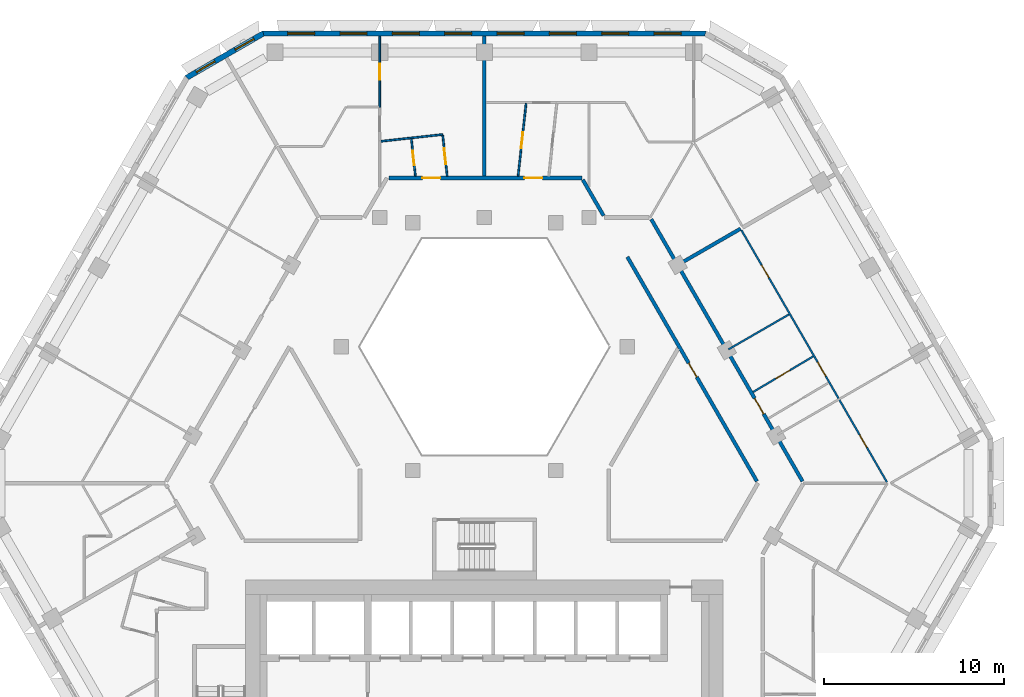
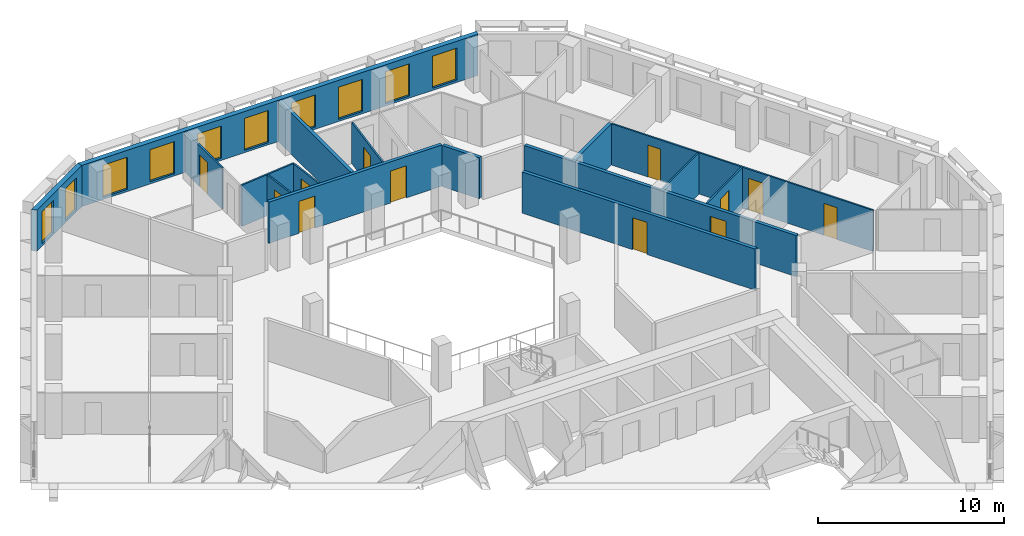
# One storey, part 8 of 17: 16 walls, 12 doors, 10 windows, 22 openings.
"""IFC4 building model written with IfcOpenShell, lengths in metres."""

from ifc_helpers import new_model, si_unit, direction, frame, frame_2d, origin, place, context, subcontext, project, spatial, polyline, rectangle, outline, extrude, material, layer, layer_set, type_object, element, fill, save


model = new_model("IFC4")

# Units and contexts
model_context = context("Model", 3, precision=1e-05, world=origin(), true_north=direction((0.0, 1.0)))
body_context = subcontext(model_context, "Body", "Model", "MODEL_VIEW")
ifc_project = project(units=[si_unit("LENGTHUNIT", "METRE"), si_unit("AREAUNIT", "SQUARE_METRE"), si_unit("VOLUMEUNIT", "CUBIC_METRE"), si_unit("PLANEANGLEUNIT", "RADIAN"), si_unit("MASSUNIT", "GRAM", prefix="KILO")], contexts=[model_context])

# Site, building, storey
site_placement = place(None, origin())
site = spatial("IfcSite", under=ifc_project, at=site_placement, CompositionType="ELEMENT")
building_placement = place(site_placement, origin())
building = spatial("IfcBuilding", under=site, at=building_placement, Name="Beryl Residences", CompositionType="ELEMENT")
storey_placement = place(building_placement, frame((0.0, 0.0, 144.60009765625)))
storey = spatial("IfcBuildingStorey", under=building, at=storey_placement, Name="L44", CompositionType="ELEMENT", Elevation=144.60009765625)

# Wall, openings, windows
ifc_material_1 = material(Name="Composite metal panel with mineral wool insulation")
ifc_layer_1 = layer(ifc_material_1, 0.300048828125)
ifc_layer_set_1 = layer_set([ifc_layer_1], Name="ES1 pale metal composite panel wall 300 mm")
wall_type_1 = type_object("IfcWallType", Name="ES1 pale metal composite panel wall 300 mm", PredefinedType="SOLIDWALL", material=ifc_layer_set_1)
wall_1_placement = place(storey_placement, frame((12.35498046875, 25.449951171875, 0.0), z_axis=(0.0, 0.0, 1.0), x_axis=(-1.0, 0.0, 0.0)))
wall_1 = element("IfcWall", 1, at=wall_1_placement, inside=storey, type_object=wall_type_1, Name="ES1 external wall L44 N", PredefinedType="SOLIDWALL", context=body_context, shape_type="SweptSolid", body=[
    extrude(outline(polyline([(0.0, -0.14990234375), (24.7099609375, -0.14990234375), (24.629638671875, 0.14990234375), (0.080322265625, 0.14990234375), (0.0, -0.14990234375)])), origin(), (0.0, 0.0, 1.0), 2.699951171875),
])
opening_1_placement = place(wall_1_placement, frame((1.40087890625, 0.0, 0.14990234375)))
opening_1 = element("IfcOpeningElement", 2, at=opening_1_placement, cuts=wall_1, Name="Opening W1", PredefinedType="OPENING", context=body_context, shape_type="SweptSolid", body=[
    extrude(rectangle(XDim=1.5, YDim=2.10009765625, at=frame_2d((0.75, 1.050048828125))), frame((0.0, 0.159912109375, 0.0), z_axis=(0.0, -1.0, 0.0), x_axis=(1.0, 0.0, 0.0)), (0.0, 0.0, 1.0), 0.320068359375),
])
opening_2_placement = place(wall_1_placement, frame((4.31591796875, 0.0, 0.14990234375)))
opening_2 = element("IfcOpeningElement", 3, at=opening_2_placement, cuts=wall_1, Name="Opening W1", PredefinedType="OPENING", context=body_context, shape_type="SweptSolid", body=[
    extrude(rectangle(XDim=1.5, YDim=2.10009765625, at=frame_2d((0.75, 1.050048828125))), frame((0.0, 0.159912109375, 0.0), z_axis=(0.0, -1.0, 0.0), x_axis=(1.0, 0.0, 0.0)), (0.0, 0.0, 1.0), 0.320068359375),
])
opening_3_placement = place(wall_1_placement, frame((7.23193359375, 0.0, 0.14990234375)))
opening_3 = element("IfcOpeningElement", 4, at=opening_3_placement, cuts=wall_1, Name="Opening W1", PredefinedType="OPENING", context=body_context, shape_type="SweptSolid", body=[
    extrude(rectangle(XDim=1.5, YDim=2.10009765625, at=frame_2d((0.75, 1.050048828125))), frame((0.0, 0.159912109375, 0.0), z_axis=(0.0, -1.0, 0.0), x_axis=(1.0, 0.0, 0.0)), (0.0, 0.0, 1.0), 0.320068359375),
])
opening_4_placement = place(wall_1_placement, frame((10.14697265625, 0.0, 0.14990234375)))
opening_4 = element("IfcOpeningElement", 5, at=opening_4_placement, cuts=wall_1, Name="Opening W1", PredefinedType="OPENING", context=body_context, shape_type="SweptSolid", body=[
    extrude(rectangle(XDim=1.5, YDim=2.10009765625, at=frame_2d((0.75, 1.050048828125))), frame((0.0, 0.159912109375, 0.0), z_axis=(0.0, -1.0, 0.0), x_axis=(1.0, 0.0, 0.0)), (0.0, 0.0, 1.0), 0.320068359375),
])
opening_5_placement = place(wall_1_placement, frame((13.06298828125, 0.0, 0.14990234375)))
opening_5 = element("IfcOpeningElement", 6, at=opening_5_placement, cuts=wall_1, Name="Opening W1", PredefinedType="OPENING", context=body_context, shape_type="SweptSolid", body=[
    extrude(rectangle(XDim=1.5, YDim=2.10009765625, at=frame_2d((0.75, 1.050048828125))), frame((0.0, 0.159912109375, 0.0), z_axis=(0.0, -1.0, 0.0), x_axis=(1.0, 0.0, 0.0)), (0.0, 0.0, 1.0), 0.320068359375),
])
opening_6_placement = place(wall_1_placement, frame((15.97802734375, 0.0, 0.14990234375)))
opening_6 = element("IfcOpeningElement", 7, at=opening_6_placement, cuts=wall_1, Name="Opening W1", PredefinedType="OPENING", context=body_context, shape_type="SweptSolid", body=[
    extrude(rectangle(XDim=1.5, YDim=2.10009765625, at=frame_2d((0.75, 1.050048828125))), frame((0.0, 0.159912109375, 0.0), z_axis=(0.0, -1.0, 0.0), x_axis=(1.0, 0.0, 0.0)), (0.0, 0.0, 1.0), 0.320068359375),
])
opening_7_placement = place(wall_1_placement, frame((18.89404296875, 0.0, 0.14990234375)))
opening_7 = element("IfcOpeningElement", 8, at=opening_7_placement, cuts=wall_1, Name="Opening W1", PredefinedType="OPENING", context=body_context, shape_type="SweptSolid", body=[
    extrude(rectangle(XDim=1.5, YDim=2.10009765625, at=frame_2d((0.75, 1.050048828125))), frame((0.0, 0.159912109375, 0.0), z_axis=(0.0, -1.0, 0.0), x_axis=(1.0, 0.0, 0.0)), (0.0, 0.0, 1.0), 0.320068359375),
])
opening_8_placement = place(wall_1_placement, frame((21.80908203125, 0.0, 0.14990234375)))
opening_8 = element("IfcOpeningElement", 9, at=opening_8_placement, cuts=wall_1, Name="Opening W1", PredefinedType="OPENING", context=body_context, shape_type="SweptSolid", body=[
    extrude(rectangle(XDim=1.5, YDim=2.10009765625, at=frame_2d((0.75, 1.050048828125))), frame((0.0, 0.159912109375, 0.0), z_axis=(0.0, -1.0, 0.0), x_axis=(1.0, 0.0, 0.0)), (0.0, 0.0, 1.0), 0.320068359375),
])
ifc_material_2 = material(Name="Aluminium and clear glass", Category="aluminium")
window_type_1 = type_object("IfcWindowType", Name="W1 cell window 1500 x 2100 mm", PartitioningType="SINGLE_PANEL", PredefinedType="WINDOW", material=ifc_material_2)
window_1_placement = place(opening_1_placement, origin())
window_1 = element("IfcWindow", 10, at=window_1_placement, inside=storey, type_object=window_type_1, Name="W1 window L44 N 1", OverallHeight=2.10009765625, OverallWidth=1.5, PartitioningType="SINGLE_PANEL", PredefinedType="WINDOW", context=body_context, shape_type="SweptSolid", body=[
    extrude(rectangle(XDim=1.5, YDim=2.10009765625, at=frame_2d((0.75, 1.050048828125))), frame((0.0, 0.030029296875, 0.0), z_axis=(0.0, -1.0, 0.0), x_axis=(1.0, 0.0, 0.0)), (0.0, 0.0, 1.0), 0.06005859375),
])
fill(opening_1, window_1)
window_2_placement = place(opening_2_placement, origin())
window_2 = element("IfcWindow", 11, at=window_2_placement, inside=storey, type_object=window_type_1, Name="W1 window L44 N 2", OverallHeight=2.10009765625, OverallWidth=1.5, PartitioningType="SINGLE_PANEL", PredefinedType="WINDOW", context=body_context, shape_type="SweptSolid", body=[
    extrude(rectangle(XDim=1.5, YDim=2.10009765625, at=frame_2d((0.75, 1.050048828125))), frame((0.0, 0.030029296875, 0.0), z_axis=(0.0, -1.0, 0.0), x_axis=(1.0, 0.0, 0.0)), (0.0, 0.0, 1.0), 0.06005859375),
])
fill(opening_2, window_2)
window_3_placement = place(opening_3_placement, origin())
window_3 = element("IfcWindow", 12, at=window_3_placement, inside=storey, type_object=window_type_1, Name="W1 window L44 N 3", OverallHeight=2.10009765625, OverallWidth=1.5, PartitioningType="SINGLE_PANEL", PredefinedType="WINDOW", context=body_context, shape_type="SweptSolid", body=[
    extrude(rectangle(XDim=1.5, YDim=2.10009765625, at=frame_2d((0.75, 1.050048828125))), frame((0.0, 0.030029296875, 0.0), z_axis=(0.0, -1.0, 0.0), x_axis=(1.0, 0.0, 0.0)), (0.0, 0.0, 1.0), 0.06005859375),
])
fill(opening_3, window_3)
window_4_placement = place(opening_4_placement, origin())
window_4 = element("IfcWindow", 13, at=window_4_placement, inside=storey, type_object=window_type_1, Name="W1 window L44 N 4", OverallHeight=2.10009765625, OverallWidth=1.5, PartitioningType="SINGLE_PANEL", PredefinedType="WINDOW", context=body_context, shape_type="SweptSolid", body=[
    extrude(rectangle(XDim=1.5, YDim=2.10009765625, at=frame_2d((0.75, 1.050048828125))), frame((0.0, 0.030029296875, 0.0), z_axis=(0.0, -1.0, 0.0), x_axis=(1.0, 0.0, 0.0)), (0.0, 0.0, 1.0), 0.06005859375),
])
fill(opening_4, window_4)
window_5_placement = place(opening_5_placement, origin())
window_5 = element("IfcWindow", 14, at=window_5_placement, inside=storey, type_object=window_type_1, Name="W1 window L44 N 5", OverallHeight=2.10009765625, OverallWidth=1.5, PartitioningType="SINGLE_PANEL", PredefinedType="WINDOW", context=body_context, shape_type="SweptSolid", body=[
    extrude(rectangle(XDim=1.5, YDim=2.10009765625, at=frame_2d((0.75, 1.050048828125))), frame((0.0, 0.030029296875, 0.0), z_axis=(0.0, -1.0, 0.0), x_axis=(1.0, 0.0, 0.0)), (0.0, 0.0, 1.0), 0.06005859375),
])
fill(opening_5, window_5)
window_6_placement = place(opening_6_placement, origin())
window_6 = element("IfcWindow", 15, at=window_6_placement, inside=storey, type_object=window_type_1, Name="W1 window L44 N 6", OverallHeight=2.10009765625, OverallWidth=1.5, PartitioningType="SINGLE_PANEL", PredefinedType="WINDOW", context=body_context, shape_type="SweptSolid", body=[
    extrude(rectangle(XDim=1.5, YDim=2.10009765625, at=frame_2d((0.75, 1.050048828125))), frame((0.0, 0.030029296875, 0.0), z_axis=(0.0, -1.0, 0.0), x_axis=(1.0, 0.0, 0.0)), (0.0, 0.0, 1.0), 0.06005859375),
])
fill(opening_6, window_6)
window_7_placement = place(opening_7_placement, origin())
window_7 = element("IfcWindow", 16, at=window_7_placement, inside=storey, type_object=window_type_1, Name="W1 window L44 N 7", OverallHeight=2.10009765625, OverallWidth=1.5, PartitioningType="SINGLE_PANEL", PredefinedType="WINDOW", context=body_context, shape_type="SweptSolid", body=[
    extrude(rectangle(XDim=1.5, YDim=2.10009765625, at=frame_2d((0.75, 1.050048828125))), frame((0.0, 0.030029296875, 0.0), z_axis=(0.0, -1.0, 0.0), x_axis=(1.0, 0.0, 0.0)), (0.0, 0.0, 1.0), 0.06005859375),
])
fill(opening_7, window_7)
window_8_placement = place(opening_8_placement, origin())
window_8 = element("IfcWindow", 17, at=window_8_placement, inside=storey, type_object=window_type_1, Name="W1 window L44 N 8", OverallHeight=2.10009765625, OverallWidth=1.5, PartitioningType="SINGLE_PANEL", PredefinedType="WINDOW", context=body_context, shape_type="SweptSolid", body=[
    extrude(rectangle(XDim=1.5, YDim=2.10009765625, at=frame_2d((0.75, 1.050048828125))), frame((0.0, 0.030029296875, 0.0), z_axis=(0.0, -1.0, 0.0), x_axis=(1.0, 0.0, 0.0)), (0.0, 0.0, 1.0), 0.06005859375),
])
fill(opening_8, window_8)

wall_2_placement = place(storey_placement, frame((-12.280029296875, 25.469970703125, 0.0), z_axis=(0.0, 0.0, 1.0), x_axis=(-0.866022959057, -0.500004234368, 0.0)))
wall_2 = element("IfcWall", 18, at=wall_2_placement, inside=storey, type_object=wall_type_1, Name="ES1 external wall L44 N-NW", PredefinedType="SOLIDWALL", context=body_context, shape_type="SweptSolid", body=[
    extrude(outline(polyline([(0.0, -0.14990234375), (5.0, -0.14990234375), (4.919677734375, 0.14990234375), (0.080322265625, 0.14990234375), (0.0, -0.14990234375)])), origin(), (0.0, 0.0, 1.0), 2.699951171875),
])
opening_9_placement = place(wall_2_placement, frame((0.64990234375, 0.0, 0.14990234375)))
opening_9 = element("IfcOpeningElement", 19, at=opening_9_placement, cuts=wall_2, Name="Opening W2", PredefinedType="OPENING", context=body_context, shape_type="SweptSolid", body=[
    extrude(rectangle(XDim=1.199951171875, YDim=2.10009765625, at=frame_2d((0.60009765625, 1.050048828125))), frame((0.0, 0.159912109375, 0.0), z_axis=(0.0, -1.0, 0.0), x_axis=(1.0, 0.0, 0.0)), (0.0, 0.0, 1.0), 0.320068359375),
])
opening_10_placement = place(wall_2_placement, frame((3.14892578125, 0.0, 0.14990234375)))
opening_10 = element("IfcOpeningElement", 20, at=opening_10_placement, cuts=wall_2, Name="Opening W2", PredefinedType="OPENING", context=body_context, shape_type="SweptSolid", body=[
    extrude(rectangle(XDim=1.199951171875, YDim=2.10009765625, at=frame_2d((0.60009765625, 1.050048828125))), frame((0.0, 0.159912109375, 0.0), z_axis=(0.0, -1.0, 0.0), x_axis=(1.0, 0.0, 0.0)), (0.0, 0.0, 1.0), 0.320068359375),
])
ifc_material_3 = material(Name="Aluminium and clear glass", Category="aluminium")
window_type_2 = type_object("IfcWindowType", Name="W2 chamfer window 1200 x 2100 mm", PartitioningType="SINGLE_PANEL", PredefinedType="WINDOW", material=ifc_material_3)
window_9_placement = place(opening_9_placement, origin())
window_9 = element("IfcWindow", 21, at=window_9_placement, inside=storey, type_object=window_type_2, Name="W2 window L44 N-NW 1", OverallHeight=2.10009765625, OverallWidth=1.199951171875, PartitioningType="SINGLE_PANEL", PredefinedType="WINDOW", context=body_context, shape_type="SweptSolid", body=[
    extrude(rectangle(XDim=1.199951171875, YDim=2.10009765625, at=frame_2d((0.60009765625, 1.050048828125))), frame((0.0, 0.030029296875, 0.0), z_axis=(0.0, -1.0, 0.0), x_axis=(1.0, 0.0, 0.0)), (0.0, 0.0, 1.0), 0.06005859375),
])
fill(opening_9, window_9)
window_10_placement = place(opening_10_placement, origin())
window_10 = element("IfcWindow", 22, at=window_10_placement, inside=storey, type_object=window_type_2, Name="W2 window L44 N-NW 2", OverallHeight=2.10009765625, OverallWidth=1.199951171875, PartitioningType="SINGLE_PANEL", PredefinedType="WINDOW", context=body_context, shape_type="SweptSolid", body=[
    extrude(rectangle(XDim=1.199951171875, YDim=2.10009765625, at=frame_2d((0.60009765625, 1.050048828125))), frame((0.0, 0.030029296875, 0.0), z_axis=(0.0, -1.0, 0.0), x_axis=(1.0, 0.0, 0.0)), (0.0, 0.0, 1.0), 0.06005859375),
])
fill(opening_10, window_10)

# Wall, openings, doors
ifc_material_4 = material(Name="Gypsum board partition on steel studs", Category="steel")
ifc_layer_2 = layer(ifc_material_4, 0.10009765625)
ifc_layer_set_2 = layer_set([ifc_layer_2], Name="PT1 partition 100 mm gypsum board on steel studs")
wall_type_2 = type_object("IfcWallType", Name="PT1 partition 100 mm gypsum board on steel studs", PredefinedType="PARTITIONING", material=ifc_layer_set_2)
wall_3_placement = place(storey_placement, frame((14.322998046875, 14.487060546875, 0.0), z_axis=(0.0, 0.0, 1.0), x_axis=(0.500011052545, -0.866019022501, 0.0)))
wall_3 = element("IfcWall", 23, at=wall_3_placement, inside=storey, type_object=wall_type_2, Name="Wall PT1 L44 003", PredefinedType="PARTITIONING", context=body_context, shape_type="SweptSolid", body=[
    extrude(rectangle(XDim=16.207763671875, YDim=0.10009765625, at=frame_2d((8.10400390625, 0.0))), origin(), (0.0, 0.0, 1.0), 2.699951171875),
])
opening_11_placement = place(wall_3_placement, frame((8.48388671875, 0.0, 0.0)))
opening_11 = element("IfcOpeningElement", 24, at=opening_11_placement, cuts=wall_3, Name="Opening D1123", PredefinedType="OPENING", context=body_context, shape_type="SweptSolid", body=[
    extrude(rectangle(XDim=0.89990234375, YDim=2.10009765625, at=frame_2d((0.449951171875, 1.050048828125))), frame((0.0, 0.06005859375, 0.0), z_axis=(0.0, -1.0, 0.0), x_axis=(1.0, 0.0, 0.0)), (0.0, 0.0, 1.0), 0.1201171875),
])
opening_12_placement = place(wall_3_placement, frame((2.251953125, 0.0, 0.0)))
opening_12 = element("IfcOpeningElement", 25, at=opening_12_placement, cuts=wall_3, Name="Opening D1125", PredefinedType="OPENING", context=body_context, shape_type="SweptSolid", body=[
    extrude(rectangle(XDim=0.800048828125, YDim=2.10009765625, at=frame_2d((0.39990234375, 1.050048828125))), frame((0.0, 0.06005859375, 0.0), z_axis=(0.0, -1.0, 0.0), x_axis=(1.0, 0.0, 0.0)), (0.0, 0.0, 1.0), 0.1201171875),
])
opening_13_placement = place(wall_3_placement, frame((13.1669921875, 0.0, 0.0)))
opening_13 = element("IfcOpeningElement", 26, at=opening_13_placement, cuts=wall_3, Name="Opening D1127", PredefinedType="OPENING", context=body_context, shape_type="SweptSolid", body=[
    extrude(rectangle(XDim=0.800048828125, YDim=2.10009765625, at=frame_2d((0.39990234375, 1.050048828125))), frame((0.0, 0.06005859375, 0.0), z_axis=(0.0, -1.0, 0.0), x_axis=(1.0, 0.0, 0.0)), (0.0, 0.0, 1.0), 0.1201171875),
])
ifc_material_5 = material(Name="Timber door leaf", Category="wood")
door_type_1 = type_object("IfcDoorType", Name="D2 room door 900 x 2100 mm", OperationType="SINGLE_SWING_LEFT", PredefinedType="DOOR", material=ifc_material_5)
door_1_placement = place(opening_11_placement, origin())
door_1 = element("IfcDoor", 27, at=door_1_placement, inside=storey, type_object=door_type_1, Name="Door D1123 L44 001", OperationType="SINGLE_SWING_LEFT", OverallHeight=2.10009765625, OverallWidth=0.89990234375, PredefinedType="DOOR", context=body_context, shape_type="SweptSolid", body=[
    extrude(rectangle(XDim=0.89990234375, YDim=2.10009765625, at=frame_2d((0.449951171875, 1.050048828125))), frame((0.0, 0.02490234375, 0.0), z_axis=(0.0, -1.0, 0.0), x_axis=(1.0, 0.0, 0.0)), (0.0, 0.0, 1.0), 0.050048828125),
])
fill(opening_11, door_1)
ifc_material_6 = material(Name="Timber door leaf", Category="wood")
door_type_2 = type_object("IfcDoorType", Name="D3 bathroom door 800 x 2100 mm", OperationType="SINGLE_SWING_LEFT", PredefinedType="DOOR", material=ifc_material_6)
door_2_placement = place(opening_12_placement, origin())
door_2 = element("IfcDoor", 28, at=door_2_placement, inside=storey, type_object=door_type_2, Name="Door D1125 L44 001", OperationType="SINGLE_SWING_LEFT", OverallHeight=2.10009765625, OverallWidth=0.800048828125, PredefinedType="DOOR", context=body_context, shape_type="SweptSolid", body=[
    extrude(rectangle(XDim=0.800048828125, YDim=2.10009765625, at=frame_2d((0.39990234375, 1.050048828125))), frame((0.0, 0.02490234375, 0.0), z_axis=(0.0, -1.0, 0.0), x_axis=(1.0, 0.0, 0.0)), (0.0, 0.0, 1.0), 0.050048828125),
])
fill(opening_12, door_2)
door_3_placement = place(opening_13_placement, origin())
door_3 = element("IfcDoor", 29, at=door_3_placement, inside=storey, type_object=door_type_2, Name="Door D1127 L44 001", OperationType="SINGLE_SWING_LEFT", OverallHeight=2.10009765625, OverallWidth=0.800048828125, PredefinedType="DOOR", context=body_context, shape_type="SweptSolid", body=[
    extrude(rectangle(XDim=0.800048828125, YDim=2.10009765625, at=frame_2d((0.39990234375, 1.050048828125))), frame((0.0, 0.02490234375, 0.0), z_axis=(0.0, -1.0, 0.0), x_axis=(1.0, 0.0, 0.0)), (0.0, 0.0, 1.0), 0.050048828125),
])
fill(opening_13, door_3)

# Wall, opening, door
wall_4_placement = place(storey_placement, frame((-2.319091796875, 19.77001953125, 0.0), z_axis=(0.0, 0.0, 1.0), x_axis=(0.109046821538, -0.994036614372, 0.0)))
wall_4 = element("IfcWall", 30, at=wall_4_placement, inside=storey, type_object=wall_type_2, Name="Wall PT1 L44 005", PredefinedType="PARTITIONING", context=body_context, shape_type="SweptSolid", body=[
    extrude(rectangle(XDim=2.28369140625, YDim=0.10009765625, at=frame_2d((1.141845703125, 0.0))), origin(), (0.0, 0.0, 1.0), 2.699951171875),
])
opening_14_placement = place(wall_4_placement, frame((0.717041015625, 0.0, 0.0)))
opening_14 = element("IfcOpeningElement", 31, at=opening_14_placement, cuts=wall_4, Name="Opening D1139", PredefinedType="OPENING", context=body_context, shape_type="SweptSolid", body=[
    extrude(rectangle(XDim=0.89990234375, YDim=2.10009765625, at=frame_2d((0.449951171875, 1.050048828125))), frame((0.0, 0.06005859375, 0.0), z_axis=(0.0, -1.0, 0.0), x_axis=(1.0, 0.0, 0.0)), (0.0, 0.0, 1.0), 0.1201171875),
])
door_4_placement = place(opening_14_placement, origin())
door_4 = element("IfcDoor", 32, at=door_4_placement, inside=storey, type_object=door_type_1, Name="Door D1139 L44 001", OperationType="SINGLE_SWING_LEFT", OverallHeight=2.10009765625, OverallWidth=0.89990234375, PredefinedType="DOOR", context=body_context, shape_type="SweptSolid", body=[
    extrude(rectangle(XDim=0.89990234375, YDim=2.10009765625, at=frame_2d((0.449951171875, 1.050048828125))), frame((0.0, 0.02490234375, 0.0), z_axis=(0.0, -1.0, 0.0), x_axis=(1.0, 0.0, 0.0)), (0.0, 0.0, 1.0), 0.050048828125),
])
fill(opening_14, door_4)

wall_5_placement = place(storey_placement, frame((-4.068115234375, 19.5791015625, 0.0), z_axis=(0.0, 0.0, 1.0), x_axis=(0.109022161139, -0.994039319333, 0.0)))
wall_5 = element("IfcWall", 33, at=wall_5_placement, inside=storey, type_object=wall_type_2, Name="Wall PT1 L44 006", PredefinedType="PARTITIONING", context=body_context, shape_type="SweptSolid", body=[
    extrude(rectangle(XDim=2.091552734375, YDim=0.10009765625, at=frame_2d((1.0458984375, 0.0))), origin(), (0.0, 0.0, 1.0), 2.699951171875),
])
opening_15_placement = place(wall_5_placement, frame((0.6708984375, 0.0, 0.0)))
opening_15 = element("IfcOpeningElement", 34, at=opening_15_placement, cuts=wall_5, Name="Opening D1140", PredefinedType="OPENING", context=body_context, shape_type="SweptSolid", body=[
    extrude(rectangle(XDim=0.800048828125, YDim=2.10009765625, at=frame_2d((0.39990234375, 1.050048828125))), frame((0.0, 0.06005859375, 0.0), z_axis=(0.0, -1.0, 0.0), x_axis=(1.0, 0.0, 0.0)), (0.0, 0.0, 1.0), 0.1201171875),
])
door_5_placement = place(opening_15_placement, origin())
door_5 = element("IfcDoor", 35, at=door_5_placement, inside=storey, type_object=door_type_2, Name="Door D1140 L44 001", OperationType="SINGLE_SWING_RIGHT", OverallHeight=2.10009765625, OverallWidth=0.800048828125, PredefinedType="DOOR", context=body_context, shape_type="SweptSolid", body=[
    extrude(rectangle(XDim=0.800048828125, YDim=2.10009765625, at=frame_2d((0.39990234375, 1.050048828125))), frame((0.0, 0.02490234375, 0.0), z_axis=(0.0, -1.0, 0.0), x_axis=(1.0, 0.0, 0.0)), (0.0, 0.0, 1.0), 0.050048828125),
])
fill(opening_15, door_5)

# Wall
wall_6_placement = place(storey_placement, frame((-5.781005859375, 19.44091796875, 0.0), z_axis=(0.0, 0.0, 1.0), x_axis=(0.994005576935, 0.109329378588, 0.0)))
element("IfcWall", 36, at=wall_6_placement, inside=storey, type_object=wall_type_2, Name="Wall PT1 L44 034", PredefinedType="PARTITIONING", context=body_context, shape_type="SweptSolid", body=[
    extrude(rectangle(XDim=3.476806640625, YDim=0.10009765625, at=frame_2d((1.73828125, 0.0))), origin(), (0.0, 0.0, 1.0), 2.699951171875),
])

# Wall, opening, door
wall_7_placement = place(storey_placement, frame((1.87890625, 17.5, 0.0), z_axis=(0.0, 0.0, 1.0), x_axis=(0.10923450369, 0.994016007519, 0.0)))
wall_7 = element("IfcWall", 37, at=wall_7_placement, inside=storey, type_object=wall_type_2, Name="Wall PT1 L44 037", PredefinedType="PARTITIONING", context=body_context, shape_type="SweptSolid", body=[
    extrude(rectangle(XDim=4.074462890625, YDim=0.10009765625, at=frame_2d((2.037109375, 0.0))), origin(), (0.0, 0.0, 1.0), 2.699951171875),
])
opening_16_placement = place(wall_7_placement, frame((1.56201171875, 0.0, 0.0)))
opening_16 = element("IfcOpeningElement", 38, at=opening_16_placement, cuts=wall_7, Name="Opening D1132", PredefinedType="OPENING", context=body_context, shape_type="SweptSolid", body=[
    extrude(rectangle(XDim=0.89990234375, YDim=2.10009765625, at=frame_2d((0.449951171875, 1.050048828125))), frame((0.0, 0.06005859375, 0.0), z_axis=(0.0, -1.0, 0.0), x_axis=(1.0, 0.0, 0.0)), (0.0, 0.0, 1.0), 0.1201171875),
])
door_6_placement = place(opening_16_placement, origin())
door_6 = element("IfcDoor", 39, at=door_6_placement, inside=storey, type_object=door_type_1, Name="Door D1132 L44 001", OperationType="SINGLE_SWING_RIGHT", OverallHeight=2.10009765625, OverallWidth=0.89990234375, PredefinedType="DOOR", context=body_context, shape_type="SweptSolid", body=[
    extrude(rectangle(XDim=0.89990234375, YDim=2.10009765625, at=frame_2d((0.449951171875, 1.050048828125))), frame((0.0, 0.02490234375, 0.0), z_axis=(0.0, -1.0, 0.0), x_axis=(1.0, 0.0, 0.0)), (0.0, 0.0, 1.0), 0.050048828125),
])
fill(opening_16, door_6)

wall_8_placement = place(storey_placement, frame((-5.8310546875, 21.3349609375, 0.0), z_axis=(0.0, 0.0, 1.0), x_axis=(0.0, 1.0, 0.0)))
wall_8 = element("IfcWall", 40, at=wall_8_placement, inside=storey, type_object=wall_type_2, Name="Wall PT1 L44 046", PredefinedType="PARTITIONING", context=body_context, shape_type="SweptSolid", body=[
    extrude(rectangle(XDim=3.965087890625, YDim=0.10009765625, at=frame_2d((1.982421875, 0.0))), origin(), (0.0, 0.0, 1.0), 2.699951171875),
])
opening_17_placement = place(wall_8_placement, frame((1.532958984375, 0.0, 0.0)))
opening_17 = element("IfcOpeningElement", 41, at=opening_17_placement, cuts=wall_8, Name="Opening D1141", PredefinedType="OPENING", context=body_context, shape_type="SweptSolid", body=[
    extrude(rectangle(XDim=0.89990234375, YDim=2.10009765625, at=frame_2d((0.449951171875, 1.050048828125))), frame((0.0, 0.06005859375, 0.0), z_axis=(0.0, -1.0, 0.0), x_axis=(1.0, 0.0, 0.0)), (0.0, 0.0, 1.0), 0.1201171875),
])
door_7_placement = place(opening_17_placement, origin())
door_7 = element("IfcDoor", 42, at=door_7_placement, inside=storey, type_object=door_type_1, Name="Door D1141 L44 001", OperationType="SINGLE_SWING_LEFT", OverallHeight=2.10009765625, OverallWidth=0.89990234375, PredefinedType="DOOR", context=body_context, shape_type="SweptSolid", body=[
    extrude(rectangle(XDim=0.89990234375, YDim=2.10009765625, at=frame_2d((0.449951171875, 1.050048828125))), frame((0.0, 0.02490234375, 0.0), z_axis=(0.0, -1.0, 0.0), x_axis=(1.0, 0.0, 0.0)), (0.0, 0.0, 1.0), 0.050048828125),
])
fill(opening_17, door_7)

# Wall
wall_9_placement = place(storey_placement, frame((13.596923828125, 7.85009765625, 0.0), z_axis=(0.0, 0.0, 1.0), x_axis=(0.865979019114, 0.500080332001, 0.0)))
element("IfcWall", 43, at=wall_9_placement, inside=storey, type_object=wall_type_2, Name="Wall PT1 L44 053", PredefinedType="PARTITIONING", context=body_context, shape_type="SweptSolid", body=[
    extrude(rectangle(XDim=3.897216796875, YDim=0.10009765625, at=frame_2d((1.94873046875, 0.0))), origin(), (0.0, 0.0, 1.0), 2.699951171875),
])

# Wall, opening, door
wall_10_placement = place(storey_placement, frame((14.968017578125, 5.47509765625, 0.0), z_axis=(0.0, 0.0, 1.0), x_axis=(0.860594613521, 0.509290596005, 0.0)))
wall_10 = element("IfcWall", 44, at=wall_10_placement, inside=storey, type_object=wall_type_2, Name="Wall PT1 L44 058", PredefinedType="PARTITIONING", context=body_context, shape_type="SweptSolid", body=[
    extrude(rectangle(XDim=3.897216796875, YDim=0.10009765625, at=frame_2d((1.94873046875, 0.0))), origin(), (0.0, 0.0, 1.0), 2.699951171875),
])
opening_18_placement = place(wall_10_placement, frame((1.47412109375, 0.0, 0.0)))
opening_18 = element("IfcOpeningElement", 45, at=opening_18_placement, cuts=wall_10, Name="Opening D1122", PredefinedType="OPENING", context=body_context, shape_type="SweptSolid", body=[
    extrude(rectangle(XDim=0.89990234375, YDim=2.10009765625, at=frame_2d((0.449951171875, 1.050048828125))), frame((0.0, 0.06005859375, 0.0), z_axis=(0.0, -1.0, 0.0), x_axis=(1.0, 0.0, 0.0)), (0.0, 0.0, 1.0), 0.1201171875),
])
door_8_placement = place(opening_18_placement, origin())
door_8 = element("IfcDoor", 46, at=door_8_placement, inside=storey, type_object=door_type_1, Name="Door D1122 L44 001", OperationType="SINGLE_SWING_RIGHT", OverallHeight=2.10009765625, OverallWidth=0.89990234375, PredefinedType="DOOR", context=body_context, shape_type="SweptSolid", body=[
    extrude(rectangle(XDim=0.89990234375, YDim=2.10009765625, at=frame_2d((0.449951171875, 1.050048828125))), frame((0.0, 0.02490234375, 0.0), z_axis=(0.0, -1.0, 0.0), x_axis=(1.0, 0.0, 0.0)), (0.0, 0.0, 1.0), 0.050048828125),
])
fill(opening_18, door_8)

# Walls
ifc_material_7 = material(Name="Acoustic double stud gypsum board wall")
ifc_layer_3 = layer(ifc_material_7, 0.199951171875)
ifc_layer_set_3 = layer_set([ifc_layer_3], Name="PT3 party wall 200 mm acoustic double stud")
wall_type_3 = type_object("IfcWallType", Name="PT3 party wall 200 mm acoustic double stud", PredefinedType="PARTITIONING", material=ifc_layer_set_3)
wall_11_placement = place(storey_placement, frame((0.0, 17.5, 0.0), z_axis=(0.0, 0.0, 1.0), x_axis=(0.0, 1.0, 0.0)))
element("IfcWall", 47, at=wall_11_placement, inside=storey, type_object=wall_type_3, Name="Wall PT3 L44 008", PredefinedType="PARTITIONING", context=body_context, shape_type="SweptSolid", body=[
    extrude(rectangle(XDim=7.800048828125, YDim=0.199951171875, at=frame_2d((3.89990234375, 0.0))), origin(), (0.0, 0.0, 1.0), 2.699951171875),
])
wall_12_placement = place(storey_placement, frame((10.85400390625, 12.60009765625, 0.0), z_axis=(0.0, 0.0, 1.0), x_axis=(0.866031112038, 0.499990112884, 0.0)))
element("IfcWall", 48, at=wall_12_placement, inside=storey, type_object=wall_type_3, Name="Wall PT3 L44 011", PredefinedType="PARTITIONING", context=body_context, shape_type="SweptSolid", body=[
    extrude(rectangle(XDim=3.94775390625, YDim=0.199951171875, at=frame_2d((1.973876953125, 0.0))), origin(), (0.0, 0.0, 1.0), 2.699951171875),
])
ifc_material_8 = material(Name="Double stud gypsum board wall")
ifc_layer_4 = layer(ifc_material_8, 0.199951171875)
ifc_layer_set_4 = layer_set([ifc_layer_4], Name="PT4 corridor wall 200 mm double stud")
wall_type_4 = type_object("IfcWallType", Name="PT4 corridor wall 200 mm double stud", PredefinedType="PARTITIONING", material=ifc_layer_set_4)
wall_13_placement = place(storey_placement, frame((5.485107421875, 17.300048828125, 0.0), z_axis=(0.0, 0.0, 1.0), x_axis=(0.500027479704, -0.866009537788, 0.0)))
element("IfcWall", 49, at=wall_13_placement, inside=storey, type_object=wall_type_4, Name="Wall PT4 L44 004", PredefinedType="PARTITIONING", context=body_context, shape_type="SweptSolid", body=[
    extrude(rectangle(XDim=2.309326171875, YDim=0.199951171875, at=frame_2d((1.15478515625, 0.0))), origin(), (0.0, 0.0, 1.0), 2.699951171875),
])

# Wall, opening, door
wall_14_placement = place(storey_placement, frame((7.967041015625, 13.0, 0.0), z_axis=(0.0, 0.0, 1.0), x_axis=(0.50003774998, -0.866003607726, 0.0)))
wall_14 = element("IfcWall", 50, at=wall_14_placement, inside=storey, type_object=wall_type_4, Name="Wall PT4 L44 005", PredefinedType="PARTITIONING", context=body_context, shape_type="SweptSolid", body=[
    extrude(rectangle(XDim=14.43310546875, YDim=0.199951171875, at=frame_2d((7.216552734375, 0.0))), origin(), (0.0, 0.0, 1.0), 2.699951171875),
])
opening_19_placement = place(wall_14_placement, frame((6.823974609375, 0.0, 0.0)))
opening_19 = element("IfcOpeningElement", 51, at=opening_19_placement, cuts=wall_14, Name="Opening D1155", PredefinedType="OPENING", context=body_context, shape_type="SweptSolid", body=[
    extrude(rectangle(XDim=0.89990234375, YDim=2.10009765625, at=frame_2d((0.449951171875, 1.050048828125))), frame((0.0, 0.10986328125, 0.0), z_axis=(0.0, -1.0, 0.0), x_axis=(1.0, 0.0, 0.0)), (0.0, 0.0, 1.0), 0.219970703125),
])
door_9_placement = place(opening_19_placement, origin())
door_9 = element("IfcDoor", 52, at=door_9_placement, inside=storey, type_object=door_type_1, Name="Door D1155 L44 001", OperationType="SINGLE_SWING_LEFT", OverallHeight=2.10009765625, OverallWidth=0.89990234375, PredefinedType="DOOR", context=body_context, shape_type="SweptSolid", body=[
    extrude(rectangle(XDim=0.89990234375, YDim=2.10009765625, at=frame_2d((0.449951171875, 1.050048828125))), frame((0.0, 0.02490234375, 0.0), z_axis=(0.0, -1.0, 0.0), x_axis=(1.0, 0.0, 0.0)), (0.0, 0.0, 1.0), 0.050048828125),
])
fill(opening_19, door_9)

wall_15_placement = place(storey_placement, frame((9.2958984375, 15.10009765625, 0.0), z_axis=(0.0, 0.0, 1.0), x_axis=(0.499974024244, -0.866040400375, 0.0)))
wall_15 = element("IfcWall", 53, at=wall_15_placement, inside=storey, type_object=wall_type_4, Name="Wall PT4 L44 006", PredefinedType="PARTITIONING", context=body_context, shape_type="SweptSolid", body=[
    extrude(rectangle(XDim=16.857421875, YDim=0.199951171875, at=frame_2d((8.4287109375, 0.0))), origin(), (0.0, 0.0, 1.0), 2.699951171875),
])
opening_20_placement = place(wall_15_placement, frame((11.52197265625, 0.0, 0.0)))
opening_20 = element("IfcOpeningElement", 54, at=opening_20_placement, cuts=wall_15, Name="Opening D1120", PredefinedType="OPENING", context=body_context, shape_type="SweptSolid", body=[
    extrude(rectangle(XDim=1.0, YDim=2.10009765625, at=frame_2d((0.5, 1.050048828125))), frame((0.0, 0.10986328125, 0.0), z_axis=(0.0, -1.0, 0.0), x_axis=(1.0, 0.0, 0.0)), (0.0, 0.0, 1.0), 0.219970703125),
])
ifc_material_9 = material(Name="Timber door leaf", Category="wood")
door_type_3 = type_object("IfcDoorType", Name="D1 flat entrance door 1000 x 2100 mm", OperationType="SINGLE_SWING_LEFT", PredefinedType="DOOR", material=ifc_material_9)
door_10_placement = place(opening_20_placement, origin())
door_10 = element("IfcDoor", 55, at=door_10_placement, inside=storey, type_object=door_type_3, Name="Door D1120 L44 001", OperationType="SINGLE_SWING_RIGHT", OverallHeight=2.10009765625, OverallWidth=1.0, PredefinedType="DOOR", context=body_context, shape_type="SweptSolid", body=[
    extrude(rectangle(XDim=1.0, YDim=2.10009765625, at=frame_2d((0.5, 1.050048828125))), frame((0.0, 0.02490234375, 0.0), z_axis=(0.0, -1.0, 0.0), x_axis=(1.0, 0.0, 0.0)), (0.0, 0.0, 1.0), 0.050048828125),
])
fill(opening_20, door_10)

# Wall, openings, doors
wall_16_placement = place(storey_placement, frame((-5.31201171875, 17.39990234375, 0.0), z_axis=(0.0, 0.0, 1.0), x_axis=(1.0, 0.0, 0.0)))
wall_16 = element("IfcWall", 56, at=wall_16_placement, inside=storey, type_object=wall_type_4, Name="Wall PT4 L44 017", PredefinedType="PARTITIONING", context=body_context, shape_type="SweptSolid", body=[
    extrude(rectangle(XDim=10.739013671875, YDim=0.199951171875, at=frame_2d((5.36962890625, 0.0))), origin(), (0.0, 0.0, 1.0), 2.699951171875),
])
opening_21_placement = place(wall_16_placement, frame((7.5380859375, 0.0, 0.0)))
opening_21 = element("IfcOpeningElement", 57, at=opening_21_placement, cuts=wall_16, Name="Opening D1130", PredefinedType="OPENING", context=body_context, shape_type="SweptSolid", body=[
    extrude(rectangle(XDim=1.0, YDim=2.10009765625, at=frame_2d((0.5, 1.050048828125))), frame((0.0, 0.10986328125, 0.0), z_axis=(0.0, -1.0, 0.0), x_axis=(1.0, 0.0, 0.0)), (0.0, 0.0, 1.0), 0.219970703125),
])
opening_22_placement = place(wall_16_placement, frame((1.864013671875, 0.0, 0.0)))
opening_22 = element("IfcOpeningElement", 58, at=opening_22_placement, cuts=wall_16, Name="Opening D1138", PredefinedType="OPENING", context=body_context, shape_type="SweptSolid", body=[
    extrude(rectangle(XDim=1.0, YDim=2.10009765625, at=frame_2d((0.5, 1.050048828125))), frame((0.0, 0.10986328125, 0.0), z_axis=(0.0, -1.0, 0.0), x_axis=(1.0, 0.0, 0.0)), (0.0, 0.0, 1.0), 0.219970703125),
])
door_11_placement = place(opening_21_placement, origin())
door_11 = element("IfcDoor", 59, at=door_11_placement, inside=storey, type_object=door_type_3, Name="Door D1130 L44 001", OperationType="SINGLE_SWING_RIGHT", OverallHeight=2.10009765625, OverallWidth=1.0, PredefinedType="DOOR", context=body_context, shape_type="SweptSolid", body=[
    extrude(rectangle(XDim=1.0, YDim=2.10009765625, at=frame_2d((0.5, 1.050048828125))), frame((0.0, 0.02490234375, 0.0), z_axis=(0.0, -1.0, 0.0), x_axis=(1.0, 0.0, 0.0)), (0.0, 0.0, 1.0), 0.050048828125),
])
fill(opening_21, door_11)
door_12_placement = place(opening_22_placement, origin())
door_12 = element("IfcDoor", 60, at=door_12_placement, inside=storey, type_object=door_type_3, Name="Door D1138 L44 001", OperationType="SINGLE_SWING_RIGHT", OverallHeight=2.10009765625, OverallWidth=1.0, PredefinedType="DOOR", context=body_context, shape_type="SweptSolid", body=[
    extrude(rectangle(XDim=1.0, YDim=2.10009765625, at=frame_2d((0.5, 1.050048828125))), frame((0.0, 0.02490234375, 0.0), z_axis=(0.0, -1.0, 0.0), x_axis=(1.0, 0.0, 0.0)), (0.0, 0.0, 1.0), 0.050048828125),
])
fill(opening_22, door_12)

save(model, "model.ifc")
